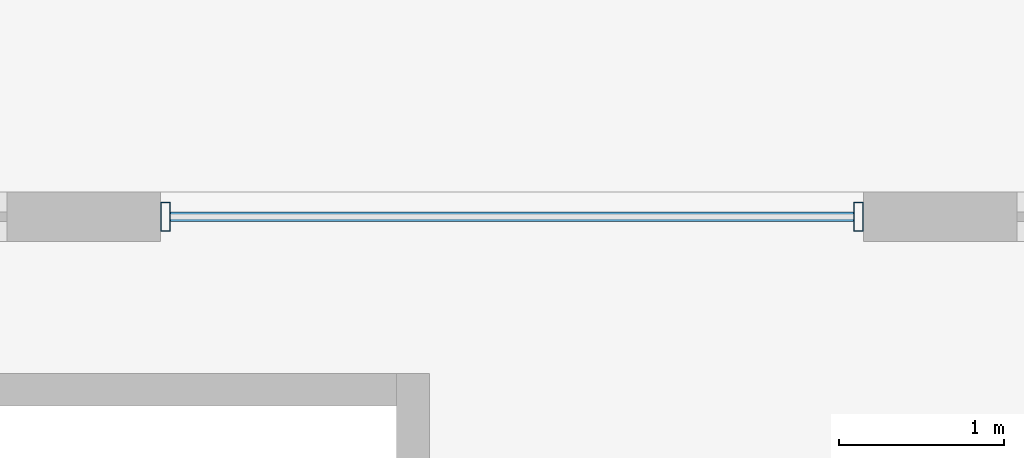
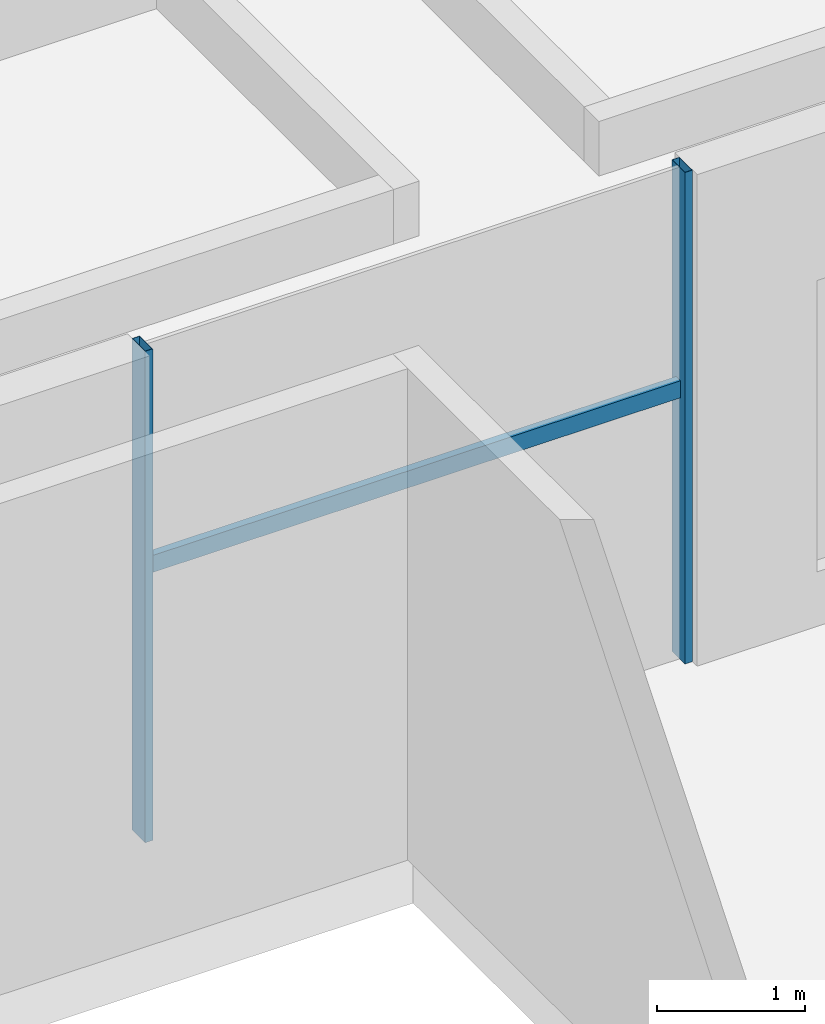
# One storey, part 11 of 26: 3 members, 1 element without a shape of its own.
"""IFC4 building model written with IfcOpenShell, lengths in metres."""

from ifc_helpers import new_model, si_unit, direction, frame, origin, origin_2d, place, context, subcontext, project, spatial, hollow_rectangle, extrude, material, material_profile, profile_set, type_object, element, aggregate, save


model = new_model("IFC4")

# Units and contexts
model_context = context("Model", 3, precision=1e-05, world=origin(), true_north=direction((0.0, 1.0)))
body_context = subcontext(model_context, "Body", "Model", "MODEL_VIEW")
ifc_project = project(units=[si_unit("LENGTHUNIT", "METRE"), si_unit("AREAUNIT", "SQUARE_METRE"), si_unit("VOLUMEUNIT", "CUBIC_METRE"), si_unit("PLANEANGLEUNIT", "RADIAN"), si_unit("MASSUNIT", "GRAM", prefix="KILO")], contexts=[model_context])

# Site, building, storey
site_placement = place(None, origin())
site = spatial("IfcSite", under=ifc_project, at=site_placement, CompositionType="ELEMENT")
building_placement = place(site_placement, origin())
building = spatial("IfcBuilding", under=site, at=building_placement, Name="Altepetl Exchange Towers", CompositionType="ELEMENT")
storey_placement = place(building_placement, frame((0.0, 0.0, 16.5)))
storey = spatial("IfcBuildingStorey", under=building, at=storey_placement, Name="L03 Podium terrace", CompositionType="ELEMENT", Elevation=16.5)

# Curtain wall, members
ifc_material_1 = material(Name="Aluminium 6063-T6 glazing", Category="aluminium")
curtain_wall_type = type_object("IfcCurtainWallType", Name="Podium storefront system", PredefinedType="NOTDEFINED", material=ifc_material_1)
curtain_wall_placement = place(storey_placement, origin())
curtain_wall = element("IfcCurtainWall", 1, at=curtain_wall_placement, inside=storey, type_object=curtain_wall_type, Name="CW5 run", PredefinedType="NOTDEFINED")
ifc_material_2 = material(Name="Aluminium 6063-T6", Category="aluminium")
ifc_material_profile_1 = material_profile(ifc_material_2, hollow_rectangle(XDim=0.06005859375, YDim=0.175048828125, WallThickness=0.0029296875, at=origin_2d()), Name="Mullion 60x175 aluminium")
ifc_profile_set_1 = profile_set([ifc_material_profile_1], Name="Aluminium 6063-T6")
member_type_1 = type_object("IfcMemberType", Name="Mullion 60x175 aluminium", PredefinedType="MULLION", material=ifc_profile_set_1)
member_1_placement = place(storey_placement, frame((112.203369140625, 71.85009765625, 0.0), z_axis=(0.0, 0.0, 1.0), x_axis=(-1.0, 0.0, 0.0)))
member_1 = element("IfcMember", 2, at=member_1_placement, type_object=member_type_1, Name="MU4 mullion", PredefinedType="MULLION", context=body_context, shape_type="SweptSolid", body=[
    extrude(hollow_rectangle(XDim=0.06005859375, YDim=0.175048828125, WallThickness=0.0029296875, at=origin_2d()), origin(), (0.0, 0.0, 1.0), 4.050048828125),
])
member_2_placement = place(storey_placement, frame((107.99658203125, 71.85009765625, 0.0), z_axis=(0.0, 0.0, 1.0), x_axis=(-1.0, 0.0, 0.0)))
member_2 = element("IfcMember", 3, at=member_2_placement, type_object=member_type_1, Name="MU4 mullion", PredefinedType="MULLION", context=body_context, shape_type="SweptSolid", body=[
    extrude(hollow_rectangle(XDim=0.06005859375, YDim=0.175048828125, WallThickness=0.0029296875, at=origin_2d()), origin(), (0.0, 0.0, 1.0), 4.050048828125),
])
ifc_material_profile_2 = material_profile(ifc_material_2, hollow_rectangle(XDim=0.06005859375, YDim=0.139892578125, WallThickness=0.0029296875, at=origin_2d()), Name="Transom 60x140 aluminium")
ifc_profile_set_2 = profile_set([ifc_material_profile_2], Name="Aluminium 6063-T6")
member_type_2 = type_object("IfcMemberType", Name="Transom 60x140 aluminium", PredefinedType="USERDEFINED", material=ifc_profile_set_2)
member_3_placement = place(storey_placement, frame((112.17333984375, 71.85009765625, 2.22998046875), z_axis=(-1.0, 0.0, 0.0), x_axis=(0.0, -1.0, 0.0)))
member_3 = element("IfcMember", 4, at=member_3_placement, type_object=member_type_2, Name="TR3 transom", ObjectType="TRANSOM", PredefinedType="USERDEFINED", context=body_context, shape_type="SweptSolid", body=[
    extrude(hollow_rectangle(XDim=0.06005859375, YDim=0.139892578125, WallThickness=0.0029296875, at=origin_2d()), origin(), (0.0, 0.0, 1.0), 4.146728515625),
])
aggregate(curtain_wall, [member_1, member_2, member_3])

save(model, "model.ifc")
